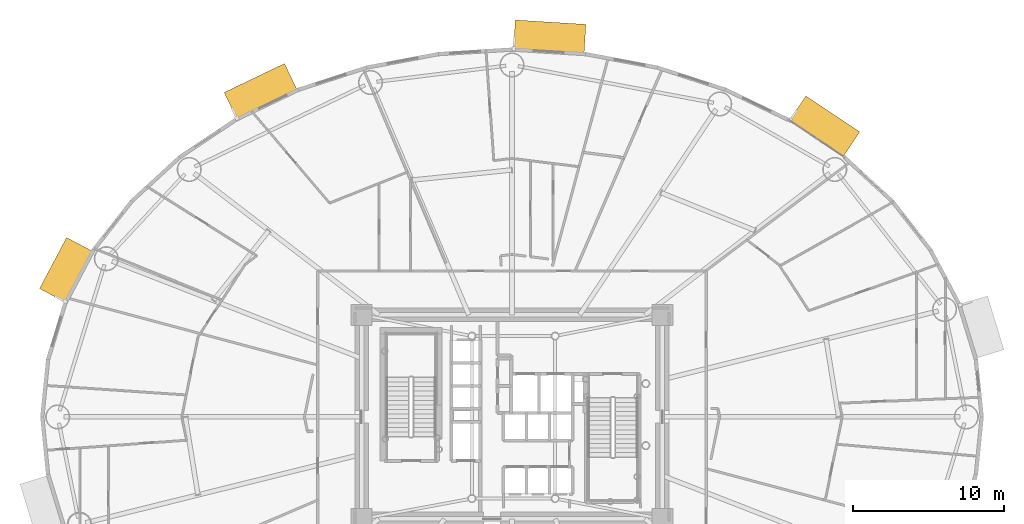
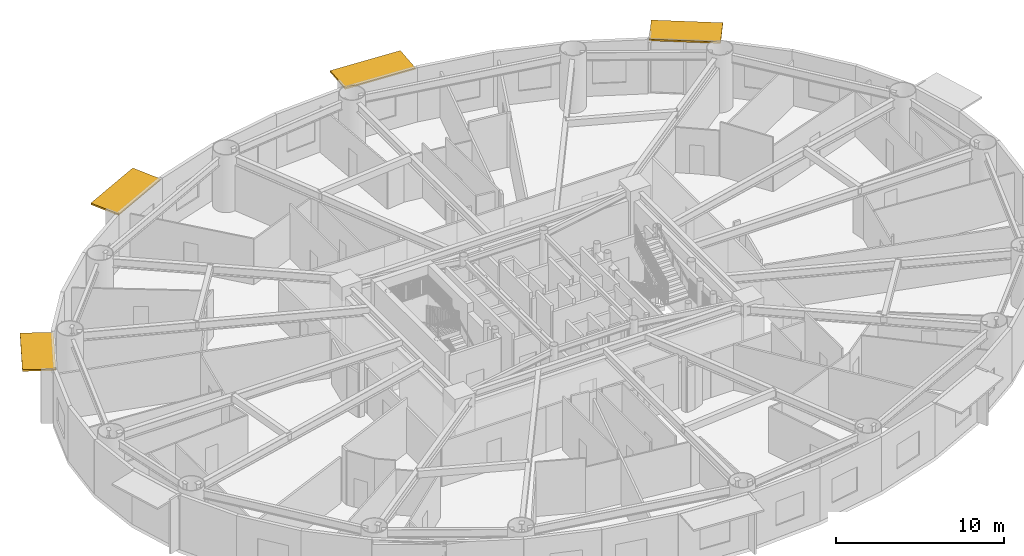
# One storey, part 24 of 24: 4 shading devices.
"""IFC4 building model written with IfcOpenShell, lengths in metres."""

from ifc_helpers import new_model, si_unit, direction, frame, origin, origin_2d, place, context, subcontext, project, spatial, rectangle, extrude, source, transform, mapped, material, layer, layer_set, type_object, element, save


model = new_model("IFC4")

# Units and contexts
model_context = context("Model", 3, precision=1e-05, world=origin(), true_north=direction((0.0, 1.0)))
body_context = subcontext(model_context, "Body", "Model", "MODEL_VIEW")
ifc_project = project(units=[si_unit("LENGTHUNIT", "METRE"), si_unit("AREAUNIT", "SQUARE_METRE"), si_unit("VOLUMEUNIT", "CUBIC_METRE"), si_unit("PLANEANGLEUNIT", "RADIAN"), si_unit("MASSUNIT", "GRAM", prefix="KILO")], contexts=[model_context])

# Site, building, storey
site_placement = place(None, origin())
site = spatial("IfcSite", under=ifc_project, at=site_placement, CompositionType="ELEMENT")
building_placement = place(site_placement, origin())
building = spatial("IfcBuilding", under=site, at=building_placement, Name="Linh Dai School and Residence Tower", CompositionType="ELEMENT")
storey_placement = place(building_placement, frame((0.0, 0.0, 70.199951171875)))
storey = spatial("IfcBuildingStorey", under=building, at=storey_placement, Name="L16", CompositionType="ELEMENT", Elevation=70.199951171875)

# Shading devices
ifc_material = material(Name="Terracotta Ceramic Sunshade", Category="masonry")
ifc_layer = layer(ifc_material, 0.1201171875)
ifc_layer_set = layer_set([ifc_layer], Name="Terracotta Ceramic Sunshade")
shading_device_type = type_object("IfcShadingDeviceType", Name="SHD-TC-2000", PredefinedType="USERDEFINED", material=ifc_layer_set)
shared_shape_1 = source(origin(), body_context, "Body", "SweptSolid", [
    extrude(rectangle(XDim=4.28173828125, YDim=2.0, at=origin_2d()), origin(), (0.0, 0.0, 1.0), 0.1201171875),
])
shading_device_1_placement = place(storey_placement, frame((56.66455078125, 46.2138671875, 3.81005859375), z_axis=(0.0, 0.0, 1.0), x_axis=(0.831250578927, -0.555897899828, 0.0)))
element("IfcShadingDevice", 1, at=shading_device_1_placement, inside=storey, type_object=shading_device_type, Name="L16 Terracotta Horizontal Sunshade Band 06", ObjectType="SUNSHADE", PredefinedType="USERDEFINED", context=body_context, shape_type="MappedRepresentation", body=[
    mapped(shared_shape_1, transform((0.0, 0.0, 0.0), x_axis=(1.0, 0.0, 0.0), y_axis=(0.0, 1.0, 0.0), z_axis=(0.0, 0.0, 1.0), scale=1.0)),
])
shared_shape_2 = source(origin(), body_context, "Body", "SweptSolid", [
    extrude(rectangle(XDim=4.6796875, YDim=2.0, at=origin_2d()), origin(), (0.0, 0.0, 1.0), 0.1201171875),
])
shading_device_2_placement = place(storey_placement, frame((38.49169921875, 52.11328125, 3.81005859375), z_axis=(0.0, 0.0, 1.0), x_axis=(0.998106677027, -0.061506595367, 0.0)))
element("IfcShadingDevice", 2, at=shading_device_2_placement, inside=storey, type_object=shading_device_type, Name="L16 Terracotta Horizontal Sunshade Band 10", ObjectType="SUNSHADE", PredefinedType="USERDEFINED", context=body_context, shape_type="MappedRepresentation", body=[
    mapped(shared_shape_2, transform((0.0, 0.0, 0.0), x_axis=(1.0, 0.0, 0.0), y_axis=(0.0, 1.0, 0.0), z_axis=(0.0, 0.0, 1.0), scale=1.0)),
])
shared_shape_3 = source(origin(), body_context, "Body", "SweptSolid", [
    extrude(rectangle(XDim=4.428466796875, YDim=2.0, at=origin_2d()), origin(), (0.0, 0.0, 1.0), 0.1201171875),
])
shading_device_3_placement = place(storey_placement, frame((19.386962890625, 48.51904296875, 3.81005859375), z_axis=(0.0, 0.0, 1.0), x_axis=(0.901584514626, 0.432603008528, 0.0)))
element("IfcShadingDevice", 3, at=shading_device_3_placement, inside=storey, type_object=shading_device_type, Name="L16 Terracotta Horizontal Sunshade Band 14", ObjectType="SUNSHADE", PredefinedType="USERDEFINED", context=body_context, shape_type="MappedRepresentation", body=[
    mapped(shared_shape_3, transform((0.0, 0.0, 0.0), x_axis=(1.0, 0.0, 0.0), y_axis=(0.0, 1.0, 0.0), z_axis=(0.0, 0.0, 1.0), scale=1.0)),
])
shared_shape_4 = source(origin(), body_context, "Body", "SweptSolid", [
    extrude(rectangle(XDim=3.824462890625, YDim=2.0, at=origin_2d()), origin(), (0.0, 0.0, 1.0), 0.1201171875),
])
shading_device_4_placement = place(storey_placement, frame((6.525390625, 36.7109375, 3.81005859375), z_axis=(0.0, 0.0, 1.0), x_axis=(0.467611940042, 0.883933862645, 0.0)))
element("IfcShadingDevice", 4, at=shading_device_4_placement, inside=storey, type_object=shading_device_type, Name="L16 Terracotta Horizontal Sunshade Band 18", ObjectType="SUNSHADE", PredefinedType="USERDEFINED", context=body_context, shape_type="MappedRepresentation", body=[
    mapped(shared_shape_4, transform((0.0, 0.0, 0.0), x_axis=(1.0, 0.0, 0.0), y_axis=(0.0, 1.0, 0.0), z_axis=(0.0, 0.0, 1.0), scale=1.0)),
])

save(model, "model.ifc")
